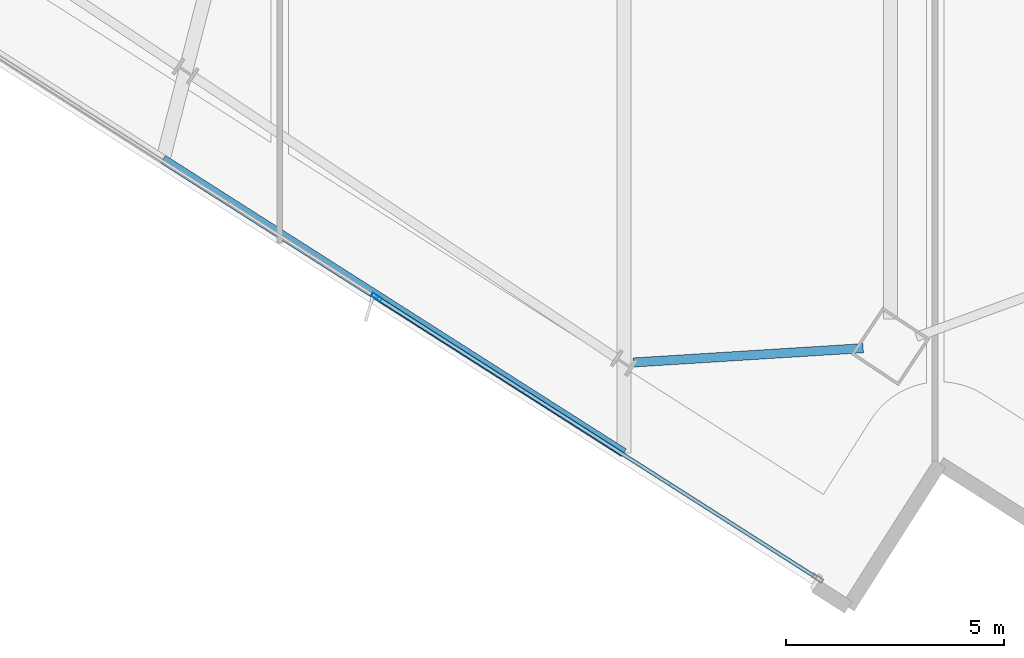
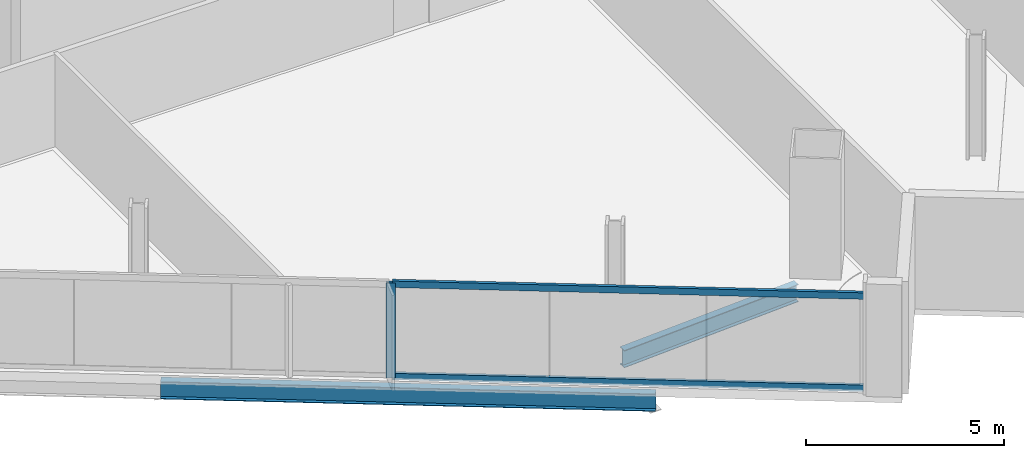
# One storey, part 3 of 30: 3 members, 2 beams, 1 element without a shape of its own.
"""IFC4 building model written with IfcOpenShell, lengths in metres."""

from ifc_helpers import new_model, si_unit, direction, frame, origin, origin_2d, place, context, subcontext, project, spatial, hollow_rectangle, i_section, extrude, material, material_profile, profile_set, type_object, element, aggregate, save


model = new_model("IFC4")

# Units and contexts
model_context = context("Model", 3, precision=1e-05, world=origin(), true_north=direction((0.0, 1.0)))
body_context = subcontext(model_context, "Body", "Model", "MODEL_VIEW")
ifc_project = project(units=[si_unit("LENGTHUNIT", "METRE"), si_unit("AREAUNIT", "SQUARE_METRE"), si_unit("VOLUMEUNIT", "CUBIC_METRE"), si_unit("PLANEANGLEUNIT", "RADIAN"), si_unit("MASSUNIT", "GRAM", prefix="KILO")], contexts=[model_context])

# Site, building, storey
site_placement = place(None, origin())
site = spatial("IfcSite", under=ifc_project, at=site_placement, CompositionType="ELEMENT")
building_placement = place(site_placement, origin())
building = spatial("IfcBuilding", under=site, at=building_placement, Name="Haldenkirk Collegiate Tower", CompositionType="ELEMENT")
storey_placement = place(building_placement, frame((0.0, 0.0, 220.949951171875)))
storey = spatial("IfcBuildingStorey", under=building, at=storey_placement, Name="L55", CompositionType="ELEMENT", Elevation=220.949951171875)

# Beams
ifc_material_1 = material(Name="Steel ASTM A992 Grade 50", Category="steel")
ifc_material_profile_1 = material_profile(ifc_material_1, i_section(OverallWidth=0.2099609375, OverallDepth=0.537109375, WebThickness=0.010986328125, FlangeThickness=0.017333984375, at=origin_2d()), Name="W21X68")
ifc_profile_set_1 = profile_set([ifc_material_profile_1], Name="Steel ASTM A992 Grade 50")
beam_type = type_object("IfcBeamType", Name="BM-SPANDREL-W21X68", PredefinedType="SPANDREL", material=ifc_profile_set_1)
beam_1_placement = place(storey_placement, frame((34.59326171875, 0.966064453125, -0.54833984375), z_axis=(0.99806607268, 0.062162002577, 0.0), x_axis=(-0.062162002577, 0.99806607268, 0.0)))
element("IfcBeam", 1, at=beam_1_placement, inside=storey, type_object=beam_type, Name="L55 perimeter spandrel beam 16", PredefinedType="SPANDREL", context=body_context, shape_type="SweptSolid", body=[
    extrude(i_section(OverallWidth=0.2099609375, OverallDepth=0.537109375, WebThickness=0.010986328125, FlangeThickness=0.017333984375, at=origin_2d()), origin(), (0.0, 0.0, 1.0), 5.270751953125),
])
beam_2_placement = place(storey_placement, frame((23.827392578125, 5.618408203125, -0.54833984375), z_axis=(0.843389729641, -0.537302302188, 0.0), x_axis=(0.537302302188, 0.843389729641, 0.0)))
element("IfcBeam", 2, at=beam_2_placement, inside=storey, type_object=beam_type, Name="L55 outer facade edge beam 4B", PredefinedType="SPANDREL", context=body_context, shape_type="SweptSolid", body=[
    extrude(i_section(OverallWidth=0.2099609375, OverallDepth=0.537109375, WebThickness=0.010986328125, FlangeThickness=0.017333984375, at=origin_2d()), origin(), (0.0, 0.0, 1.0), 12.50830078125),
])

# Curtain wall, members
ifc_material_2 = material(Name="Anodised architectural bronze aluminium", Category="aluminium")
curtain_wall_type = type_object("IfcCurtainWallType", Name="CW-SYS1B-CONVEX-HI", PredefinedType="USERDEFINED", material=ifc_material_2)
curtain_wall_placement = place(storey_placement, origin())
curtain_wall = element("IfcCurtainWall", 3, at=curtain_wall_placement, inside=storey, type_object=curtain_wall_type, Name="L55 Upper tower high-wind convex bronze unitised curtain wall", ObjectType="UNITISED CURTAIN WALL", PredefinedType="USERDEFINED")
ifc_material_profile_2 = material_profile(ifc_material_2, hollow_rectangle(XDim=0.0849609375, YDim=0.25, WallThickness=0.0048828125, at=origin_2d()), Name="CW-MUL-1B")
ifc_profile_set_2 = profile_set([ifc_material_profile_2], Name="Anodised architectural bronze aluminium")
member_type_1 = type_object("IfcMemberType", Name="CW-MUL-1B", PredefinedType="MULLION", material=ifc_profile_set_2)
member_1_placement = place(storey_placement, frame((28.71044921875, 2.460205078125, 0.0), z_axis=(0.0, 0.0, 1.0), x_axis=(-0.537300519173, -0.843390865552, 0.0)))
member_1 = element("IfcMember", 4, at=member_1_placement, type_object=member_type_1, Name="CW-1B mullion 2", PredefinedType="MULLION", context=body_context, shape_type="SweptSolid", body=[
    extrude(hollow_rectangle(XDim=0.0849609375, YDim=0.25, WallThickness=0.0048828125, at=origin_2d()), origin(), (0.0, 0.0, 1.0), 2.927978515625),
])
ifc_material_profile_3 = material_profile(ifc_material_2, hollow_rectangle(XDim=0.0849609375, YDim=0.199951171875, WallThickness=0.0048828125, at=origin_2d()), Name="CW-TRN-1B")
ifc_profile_set_3 = profile_set([ifc_material_profile_3], Name="Anodised architectural bronze aluminium")
member_type_2 = type_object("IfcMemberType", Name="CW-TRN-1B", PredefinedType="USERDEFINED", material=ifc_profile_set_3)
member_2_placement = place(storey_placement, frame((38.780517578125, -3.955322265625, 0.04248046875), z_axis=(-0.843387612037, 0.537305626121, 0.0), x_axis=(-0.537305626121, -0.843387612037, 0.0)))
member_2 = element("IfcMember", 5, at=member_2_placement, type_object=member_type_2, Name="CW-1B transom 1.1", ObjectType="TRANSOM", PredefinedType="USERDEFINED", context=body_context, shape_type="SweptSolid", body=[
    extrude(hollow_rectangle(XDim=0.0849609375, YDim=0.199951171875, WallThickness=0.0048828125, at=origin_2d()), origin(), (0.0, 0.0, 1.0), 11.8974609375),
])
member_3_placement = place(storey_placement, frame((38.780517578125, -3.955322265625, 2.885498046875), z_axis=(-0.843387612037, 0.537305626121, 0.0), x_axis=(-0.537305626121, -0.843387612037, 0.0)))
member_3 = element("IfcMember", 6, at=member_3_placement, type_object=member_type_2, Name="CW-1B transom 1.2", ObjectType="TRANSOM", PredefinedType="USERDEFINED", context=body_context, shape_type="SweptSolid", body=[
    extrude(hollow_rectangle(XDim=0.0849609375, YDim=0.199951171875, WallThickness=0.0048828125, at=origin_2d()), origin(), (0.0, 0.0, 1.0), 11.8974609375),
])
aggregate(curtain_wall, [member_1, member_2, member_3])

save(model, "model.ifc")
